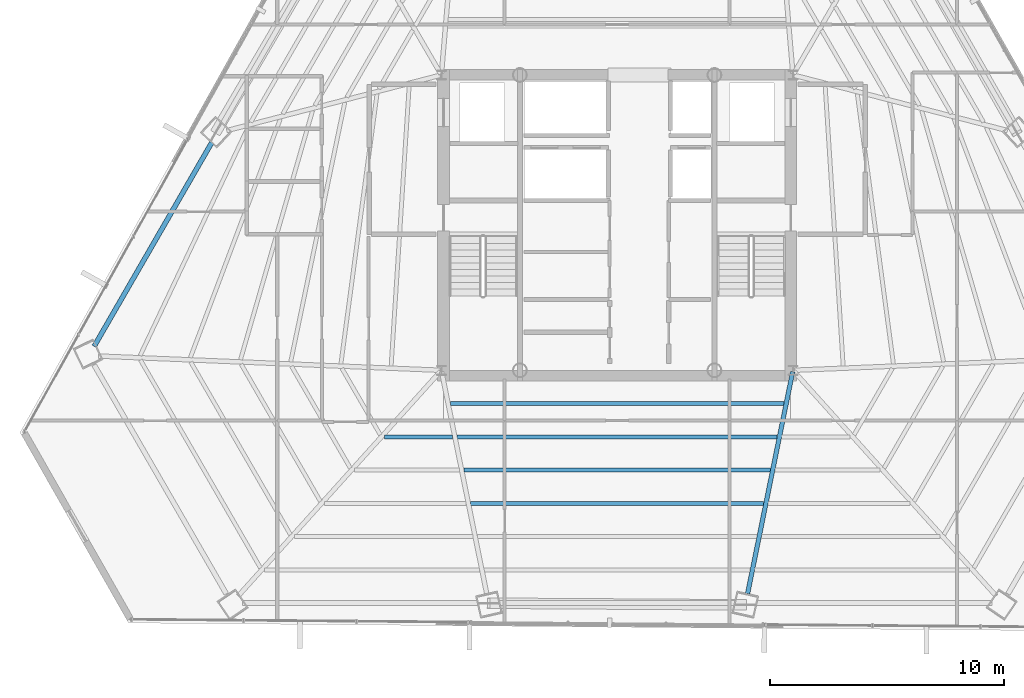
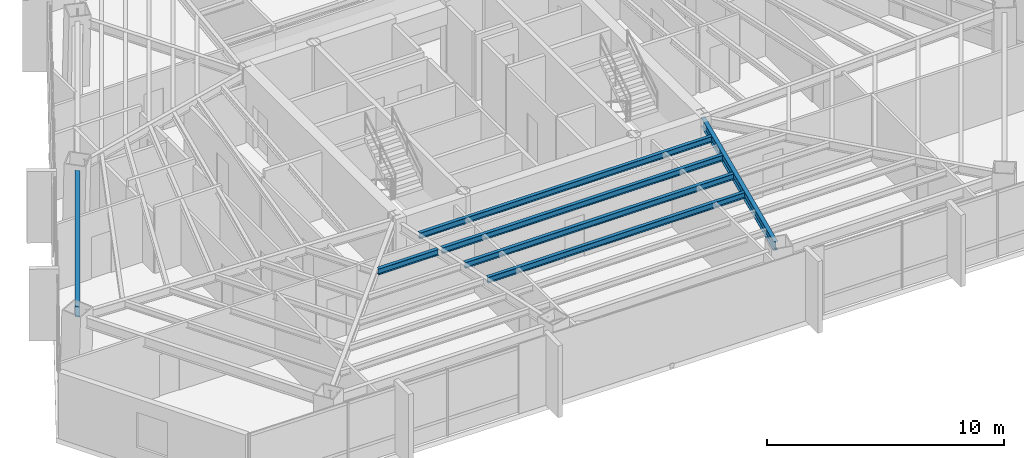
# One storey, part 11 of 38: 7 beams.
"""IFC4 building model written with IfcOpenShell, lengths in metres."""

from ifc_helpers import new_model, si_unit, direction, frame, origin, origin_2d, place, context, subcontext, project, spatial, i_section, extrude, source, transform, mapped, material, material_profile, profile_set, type_object, type_shapes, element, save


model = new_model("IFC4")

# Units and contexts
model_context = context("Model", 3, precision=1e-05, world=origin(), true_north=direction((0.0, 1.0)))
body_context = subcontext(model_context, "Body", "Model", "MODEL_VIEW")
ifc_project = project(units=[si_unit("LENGTHUNIT", "METRE"), si_unit("AREAUNIT", "SQUARE_METRE"), si_unit("VOLUMEUNIT", "CUBIC_METRE"), si_unit("PLANEANGLEUNIT", "RADIAN"), si_unit("MASSUNIT", "GRAM", prefix="KILO")], contexts=[model_context])

# Site, building, storey
site_placement = place(None, origin())
site = spatial("IfcSite", under=ifc_project, at=site_placement, CompositionType="ELEMENT")
building_placement = place(site_placement, origin())
building = spatial("IfcBuilding", under=site, at=building_placement, Name="Caelisora Broadcast Tower", CompositionType="ELEMENT")
storey_placement = place(building_placement, frame((0.0, 0.0, 158.5)))
storey = spatial("IfcBuildingStorey", under=building, at=storey_placement, Name="L41", CompositionType="ELEMENT", Elevation=158.5)

# Beams
ifc_material = material(Name="Steel Grade 350 (AS/NZS 3679.1)", Category="steel")
ifc_material_profile_1 = material_profile(ifc_material, i_section(OverallWidth=0.208984375, OverallDepth=0.532958984375, WebThickness=0.01025390625, FlangeThickness=0.015625, at=origin_2d()), Name="Steel Grade 350 (AS/NZS 3679.1)")
ifc_profile_set_1 = profile_set([ifc_material_profile_1], Name="Steel Grade 350 (AS/NZS 3679.1)")
beam_type_1 = type_object("IfcBeamType", Name="PG05", PredefinedType="BEAM", material=ifc_profile_set_1)
shared_shape_1 = source(origin(), body_context, "Body", "SweptSolid", [
    extrude(i_section(OverallWidth=0.208984375, OverallDepth=0.532958984375, WebThickness=0.01025390625, FlangeThickness=0.015625, at=origin_2d()), origin(), (0.0, 0.0, 1.0), 10.04296875),
])
type_shapes(beam_type_1, [shared_shape_1])
beam_1_placement = place(storey_placement, frame((20.709716796875, 27.121826171875, 3.133544921875), z_axis=(-0.500026874357, -0.866009887311, 0.0), x_axis=(0.866009887311, -0.500026874357, 0.0)))
element("IfcBeam", 1, at=beam_1_placement, inside=storey, type_object=beam_type_1, Name="L41 beam PG05", PredefinedType="BEAM", context=body_context, shape_type="MappedRepresentation", body=[
    mapped(shared_shape_1, transform((0.0, 0.0, 0.0), scale=1.0)),
])
ifc_material_profile_2 = material_profile(ifc_material, i_section(OverallWidth=0.19091796875, OverallDepth=0.46044921875, WebThickness=0.010009765625, FlangeThickness=0.01611328125, at=origin_2d()), Name="Steel Grade 350 (AS/NZS 3679.1)")
ifc_profile_set_2 = profile_set([ifc_material_profile_2], Name="Steel Grade 350 (AS/NZS 3679.1)")
beam_type_2 = type_object("IfcBeamType", Name="PG06", PredefinedType="BEAM", material=ifc_profile_set_2)
shared_shape_2 = source(origin(), body_context, "Body", "SweptSolid", [
    extrude(i_section(OverallWidth=0.19091796875, OverallDepth=0.46044921875, WebThickness=0.010009765625, FlangeThickness=0.01611328125, at=origin_2d()), origin(), (0.0, 0.0, 1.0), 9.657958984375),
])
type_shapes(beam_type_2, [shared_shape_2])
beam_2_placement = place(storey_placement, frame((45.488037109375, 17.34130859375, 3.169921875), z_axis=(-0.199095201756, -0.979980153186, 0.0), x_axis=(0.979980153186, -0.199095201756, 0.0)))
element("IfcBeam", 2, at=beam_2_placement, inside=storey, type_object=beam_type_2, Name="L41 beam PG06", PredefinedType="BEAM", context=body_context, shape_type="MappedRepresentation", body=[
    mapped(shared_shape_2, transform((0.0, 0.0, 0.0), scale=1.0)),
])
ifc_material_profile_3 = material_profile(ifc_material, i_section(OverallWidth=0.166015625, OverallDepth=0.30712890625, WebThickness=0.006591796875, FlangeThickness=0.01171875, at=origin_2d()), Name="Steel Grade 350 (AS/NZS 3679.1)")
ifc_profile_set_3 = profile_set([ifc_material_profile_3], Name="Steel Grade 350 (AS/NZS 3679.1)")
beam_type_3 = type_object("IfcBeamType", Name="SB03", PredefinedType="JOIST", material=ifc_profile_set_3)
shared_shape_3 = source(origin(), body_context, "Body", "SweptSolid", [
    extrude(i_section(OverallWidth=0.166015625, OverallDepth=0.30712890625, WebThickness=0.006591796875, FlangeThickness=0.01171875, at=origin_2d()), origin(), (0.0, 0.0, 1.0), 2.912353515625),
])
beam_3_placement = place(storey_placement, frame((28.06982421875, 14.5615234375, 3.246337890625), z_axis=(1.0, 0.0, 0.0), x_axis=(0.0, 1.0, 0.0)))
element("IfcBeam", 3, at=beam_3_placement, inside=storey, type_object=beam_type_3, Name="L41 beam SB03", PredefinedType="JOIST", context=body_context, shape_type="MappedRepresentation", body=[
    mapped(shared_shape_3, transform((0.0, 0.0, 0.0), scale=1.0)),
])
shared_shape_4 = source(origin(), body_context, "Body", "SweptSolid", [
    extrude(i_section(OverallWidth=0.166015625, OverallDepth=0.30712890625, WebThickness=0.006591796875, FlangeThickness=0.01171875, at=origin_2d()), origin(), (0.0, 0.0, 1.0), 14.234375),
])
beam_4_placement = place(storey_placement, frame((30.8828125, 15.980712890625, 3.246337890625), z_axis=(1.0, 0.0, 0.0), x_axis=(0.0, 1.0, 0.0)))
element("IfcBeam", 4, at=beam_4_placement, inside=storey, type_object=beam_type_3, Name="L41 beam SB03", PredefinedType="JOIST", context=body_context, shape_type="MappedRepresentation", body=[
    mapped(shared_shape_4, transform((0.0, 0.0, 0.0), scale=1.0)),
])
shared_shape_5 = source(origin(), body_context, "Body", "SweptSolid", [
    extrude(i_section(OverallWidth=0.166015625, OverallDepth=0.30712890625, WebThickness=0.006591796875, FlangeThickness=0.01171875, at=origin_2d()), origin(), (0.0, 0.0, 1.0), 13.65771484375),
])
beam_5_placement = place(storey_placement, frame((31.171142578125, 14.5615234375, 3.246337890625), z_axis=(1.0, 0.0, 0.0), x_axis=(0.0, 1.0, 0.0)))
element("IfcBeam", 5, at=beam_5_placement, inside=storey, type_object=beam_type_3, Name="L41 beam SB03", PredefinedType="JOIST", context=body_context, shape_type="MappedRepresentation", body=[
    mapped(shared_shape_5, transform((0.0, 0.0, 0.0), scale=1.0)),
])
shared_shape_6 = source(origin(), body_context, "Body", "SweptSolid", [
    extrude(i_section(OverallWidth=0.166015625, OverallDepth=0.30712890625, WebThickness=0.006591796875, FlangeThickness=0.01171875, at=origin_2d()), origin(), (0.0, 0.0, 1.0), 13.08056640625),
])
beam_6_placement = place(storey_placement, frame((31.459716796875, 13.14208984375, 3.246337890625), z_axis=(1.0, 0.0, 0.0), x_axis=(0.0, 1.0, 0.0)))
element("IfcBeam", 6, at=beam_6_placement, inside=storey, type_object=beam_type_3, Name="L41 beam SB03", PredefinedType="JOIST", context=body_context, shape_type="MappedRepresentation", body=[
    mapped(shared_shape_6, transform((0.0, 0.0, 0.0), scale=1.0)),
])
shared_shape_7 = source(origin(), body_context, "Body", "SweptSolid", [
    extrude(i_section(OverallWidth=0.166015625, OverallDepth=0.30712890625, WebThickness=0.006591796875, FlangeThickness=0.01171875, at=origin_2d()), origin(), (0.0, 0.0, 1.0), 12.50439453125),
])
type_shapes(beam_type_3, [shared_shape_3, shared_shape_4, shared_shape_5, shared_shape_6, shared_shape_7])
beam_7_placement = place(storey_placement, frame((31.747802734375, 11.722900390625, 3.246337890625), z_axis=(1.0, 0.0, 0.0), x_axis=(0.0, 1.0, 0.0)))
element("IfcBeam", 7, at=beam_7_placement, inside=storey, type_object=beam_type_3, Name="L41 beam SB03", PredefinedType="JOIST", context=body_context, shape_type="MappedRepresentation", body=[
    mapped(shared_shape_7, transform((0.0, 0.0, 0.0), scale=1.0)),
])

save(model, "model.ifc")
